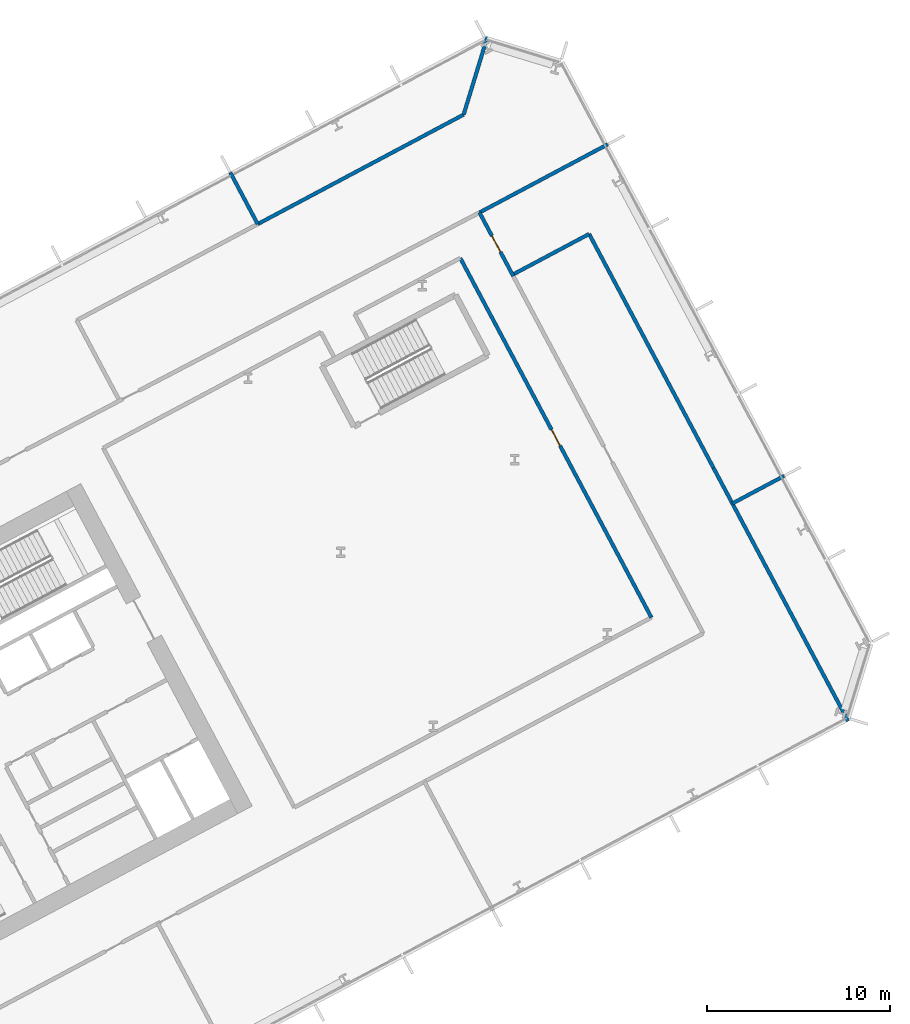
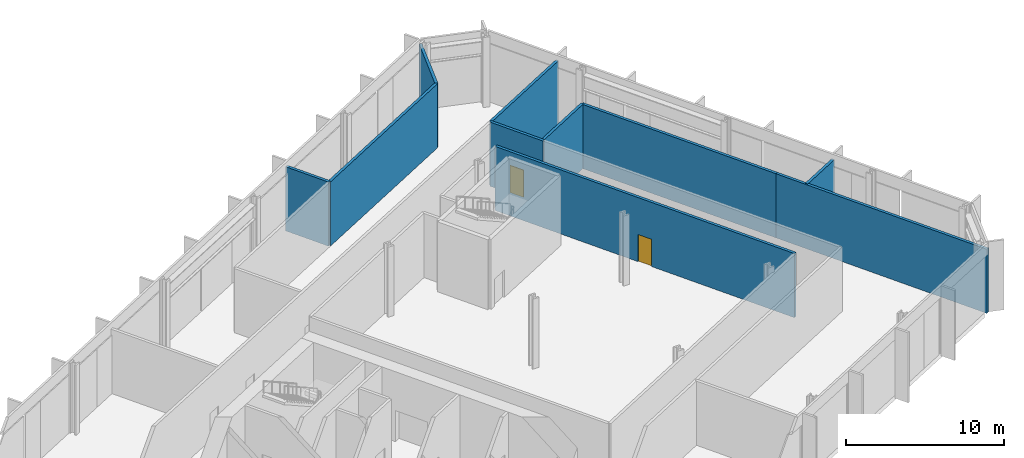
# One storey, part 17 of 31: 10 walls, 2 doors, 2 openings.
"""IFC4 building model written with IfcOpenShell, lengths in metres."""

from ifc_helpers import new_model, si_unit, direction, frame, frame_2d, origin, place, context, subcontext, project, spatial, rectangle, extrude, material, layer, layer_set, type_object, element, fill, save


model = new_model("IFC4")

# Units and contexts
model_context = context("Model", 3, precision=1e-05, world=origin(), true_north=direction((0.0, 1.0)))
body_context = subcontext(model_context, "Body", "Model", "MODEL_VIEW")
ifc_project = project(units=[si_unit("LENGTHUNIT", "METRE"), si_unit("AREAUNIT", "SQUARE_METRE"), si_unit("VOLUMEUNIT", "CUBIC_METRE"), si_unit("PLANEANGLEUNIT", "RADIAN"), si_unit("MASSUNIT", "GRAM", prefix="KILO")], contexts=[model_context])

# Site, building, storey
site_placement = place(None, origin())
site = spatial("IfcSite", under=ifc_project, at=site_placement, CompositionType="ELEMENT")
building_placement = place(site_placement, origin())
building = spatial("IfcBuilding", under=site, at=building_placement, Name="Cormorant Relay Tower", CompositionType="ELEMENT")
storey_placement = place(building_placement, frame((0.0, 0.0, 23.0)))
storey = spatial("IfcBuildingStorey", under=building, at=storey_placement, Name="L04", CompositionType="ELEMENT", Elevation=23.0)

# Walls
ifc_material_1 = material(Name="Fire-rated gypsum board partition")
ifc_layer = layer(ifc_material_1, 0.199951171875)
ifc_layer_set = layer_set([ifc_layer], Name="Fire-rated gypsum partition 200")
wall_type = type_object("IfcWallType", Name="Fire-rated gypsum partition 200", PredefinedType="PARTITIONING", material=ifc_layer_set)
wall_1_placement = place(storey_placement, frame((37.0439453125, 43.70703125, 0.0), z_axis=(0.0, 0.0, 1.0), x_axis=(0.469447181805, -0.882960556025, 0.0)))
element("IfcWall", 1, at=wall_1_placement, inside=storey, type_object=wall_type, Name="wall/L04/part/57", PredefinedType="PARTITIONING", context=body_context, shape_type="SweptSolid", body=[
    extrude(rectangle(XDim=3.199462890625, YDim=0.199951171875, at=frame_2d((1.599609375, 0.0))), origin(), (0.0, 0.0, 1.0), 4.949951171875),
])
wall_2_placement = place(storey_placement, frame((38.5458984375, 40.882080078125, 0.0), z_axis=(0.0, 0.0, 1.0), x_axis=(0.882973874067, 0.469422131685, 0.0)))
element("IfcWall", 2, at=wall_2_placement, inside=storey, type_object=wall_type, Name="wall/L04/part/58", PredefinedType="PARTITIONING", context=body_context, shape_type="SweptSolid", body=[
    extrude(rectangle(XDim=12.77294921875, YDim=0.199951171875, at=frame_2d((6.386474609375, 0.0))), origin(), (0.0, 0.0, 1.0), 4.949951171875),
])
wall_3_placement = place(storey_placement, frame((49.823974609375, 46.8779296875, 0.0), z_axis=(0.0, 0.0, 1.0), x_axis=(0.29242717897, 0.956287794024, 0.0)))
element("IfcWall", 3, at=wall_3_placement, inside=storey, type_object=wall_type, Name="wall/L04/part/59", PredefinedType="PARTITIONING", context=body_context, shape_type="SweptSolid", body=[
    extrude(rectangle(XDim=4.458984375, YDim=0.199951171875, at=frame_2d((2.2294921875, 0.0))), origin(), (0.0, 0.0, 1.0), 4.949951171875),
])

# Wall, opening, door
wall_4_placement = place(storey_placement, frame((49.64111328125, 39.02294921875, 0.0), z_axis=(0.0, 0.0, 1.0), x_axis=(0.469459906809, -0.882953790353, 0.0)))
wall_4 = element("IfcWall", 4, at=wall_4_placement, inside=storey, type_object=wall_type, Name="wall/L04/part/62", PredefinedType="PARTITIONING", context=body_context, shape_type="SweptSolid", body=[
    extrude(rectangle(XDim=22.300048828125, YDim=0.199951171875, at=frame_2d((11.14990234375, 0.0))), origin(), (0.0, 0.0, 1.0), 4.949951171875),
])
opening_1_placement = place(wall_4_placement, frame((10.64990234375, 0.0, 0.0)))
opening_1 = element("IfcOpeningElement", 5, at=opening_1_placement, cuts=wall_4, Name="Opening FD1-021", PredefinedType="OPENING", context=body_context, shape_type="SweptSolid", body=[
    extrude(rectangle(XDim=1.0, YDim=2.10009765625, at=frame_2d((0.5, 1.050048828125))), frame((0.0, 0.10986328125, 0.0), z_axis=(0.0, -1.0, 0.0), x_axis=(1.0, 0.0, 0.0)), (0.0, 0.0, 1.0), 0.219970703125),
])
ifc_material_2 = material(Name="Fire-rated steel door", Category="steel")
door_type = type_object("IfcDoorType", Name="Fire door 1000 x 2100", OperationType="SINGLE_SWING_LEFT", PredefinedType="DOOR", material=ifc_material_2)
door_1_placement = place(opening_1_placement, origin())
door_1 = element("IfcDoor", 6, at=door_1_placement, inside=storey, type_object=door_type, Name="door/L04/24", OperationType="SINGLE_SWING_LEFT", OverallHeight=2.10009765625, OverallWidth=1.0, PredefinedType="DOOR", context=body_context, shape_type="SweptSolid", body=[
    extrude(rectangle(XDim=1.0, YDim=2.10009765625, at=frame_2d((0.5, 1.050048828125))), frame((0.0, 0.02490234375, 0.0), z_axis=(0.0, -1.0, 0.0), x_axis=(1.0, 0.0, 0.0)), (0.0, 0.0, 1.0), 0.050048828125),
])
fill(opening_1, door_1)

wall_5_placement = place(storey_placement, frame((50.693115234375, 41.51611328125, 0.0), z_axis=(0.0, 0.0, 1.0), x_axis=(0.469428212836, -0.882970641071, 0.0)))
wall_5 = element("IfcWall", 7, at=wall_5_placement, inside=storey, type_object=wall_type, Name="wall/L04/part/69", PredefinedType="PARTITIONING", context=body_context, shape_type="SweptSolid", body=[
    extrude(rectangle(XDim=3.94482421875, YDim=0.199951171875, at=frame_2d((1.972412109375, 0.0))), origin(), (0.0, 0.0, 1.0), 4.949951171875),
])
opening_2_placement = place(wall_5_placement, frame((1.449951171875, 0.0, 0.0)))
opening_2 = element("IfcOpeningElement", 8, at=opening_2_placement, cuts=wall_5, Name="Opening FD1-026", PredefinedType="OPENING", context=body_context, shape_type="SweptSolid", body=[
    extrude(rectangle(XDim=1.0, YDim=2.10009765625, at=frame_2d((0.5, 1.050048828125))), frame((0.0, 0.10986328125, 0.0), z_axis=(0.0, -1.0, 0.0), x_axis=(1.0, 0.0, 0.0)), (0.0, 0.0, 1.0), 0.219970703125),
])
door_2_placement = place(opening_2_placement, origin())
door_2 = element("IfcDoor", 9, at=door_2_placement, inside=storey, type_object=door_type, Name="door/L04/7", OperationType="SINGLE_SWING_RIGHT", OverallHeight=2.10009765625, OverallWidth=1.0, PredefinedType="DOOR", context=body_context, shape_type="SweptSolid", body=[
    extrude(rectangle(XDim=1.0, YDim=2.10009765625, at=frame_2d((0.5, 1.050048828125))), frame((0.0, 0.02490234375, 0.0), z_axis=(0.0, -1.0, 0.0), x_axis=(1.0, 0.0, 0.0)), (0.0, 0.0, 1.0), 0.050048828125),
])
fill(opening_2, door_2)

# Walls
wall_6_placement = place(storey_placement, frame((57.712890625, 45.248046875, 0.0), z_axis=(0.0, 0.0, 1.0), x_axis=(-0.882976121624, -0.46941790405, 0.0)))
element("IfcWall", 10, at=wall_6_placement, inside=storey, type_object=wall_type, Name="wall/L04/part/70", PredefinedType="PARTITIONING", context=body_context, shape_type="SweptSolid", body=[
    extrude(rectangle(XDim=7.9501953125, YDim=0.199951171875, at=frame_2d((3.97509765625, 0.0))), origin(), (0.0, 0.0, 1.0), 4.949951171875),
])
wall_7_placement = place(storey_placement, frame((52.52001953125, 38.117919921875, 0.0), z_axis=(0.0, 0.0, 1.0), x_axis=(0.882886497292, 0.469586448802, 0.0)))
element("IfcWall", 11, at=wall_7_placement, inside=storey, type_object=wall_type, Name="wall/L04/part/71", PredefinedType="PARTITIONING", context=body_context, shape_type="SweptSolid", body=[
    extrude(rectangle(XDim=4.732177734375, YDim=0.199951171875, at=frame_2d((2.3662109375, 0.0))), origin(), (0.0, 0.0, 1.0), 4.949951171875),
])
wall_8_placement = place(storey_placement, frame((56.697998046875, 40.340087890625, 0.0), z_axis=(0.0, 0.0, 1.0), x_axis=(0.469433248113, -0.882967964065, 0.0)))
element("IfcWall", 12, at=wall_8_placement, inside=storey, type_object=wall_type, Name="wall/L04/part/72", PredefinedType="PARTITIONING", context=body_context, shape_type="SweptSolid", body=[
    extrude(rectangle(XDim=14.509033203125, YDim=0.199951171875, at=frame_2d((7.25439453125, 0.0))), origin(), (0.0, 0.0, 1.0), 4.949951171875),
])
wall_9_placement = place(storey_placement, frame((63.509033203125, 27.529052734375, 0.0), z_axis=(0.0, 0.0, 1.0), x_axis=(0.469480983661, -0.882942583627, 0.0)))
element("IfcWall", 13, at=wall_9_placement, inside=storey, type_object=wall_type, Name="wall/L04/part/73", PredefinedType="PARTITIONING", context=body_context, shape_type="SweptSolid", body=[
    extrude(rectangle(XDim=15.706787109375, YDim=0.199951171875, at=frame_2d((7.853515625, 0.0))), origin(), (0.0, 0.0, 1.0), 4.949951171875),
])
wall_10_placement = place(storey_placement, frame((67.3701171875, 27.0849609375, 0.0), z_axis=(0.0, 0.0, 1.0), x_axis=(-0.882918137105, -0.469526956809, 0.0)))
element("IfcWall", 14, at=wall_10_placement, inside=storey, type_object=wall_type, Name="wall/L04/part/74", PredefinedType="PARTITIONING", context=body_context, shape_type="SweptSolid", body=[
    extrude(rectangle(XDim=3.200927734375, YDim=0.199951171875, at=frame_2d((1.6005859375, 0.0))), origin(), (0.0, 0.0, 1.0), 4.949951171875),
])

save(model, "model.ifc")
